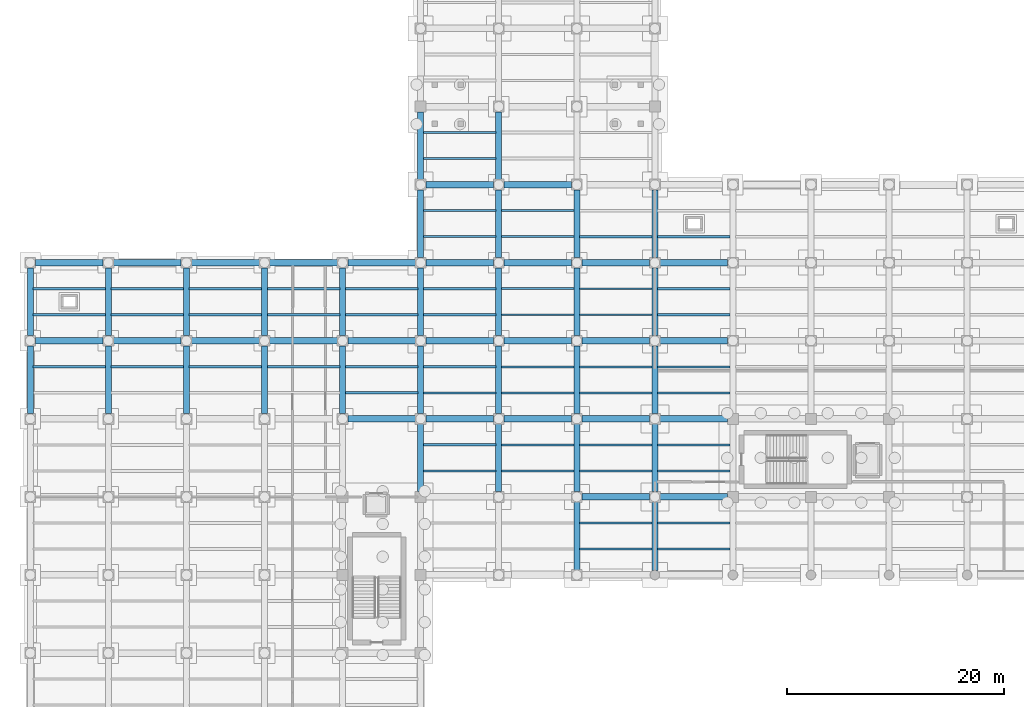
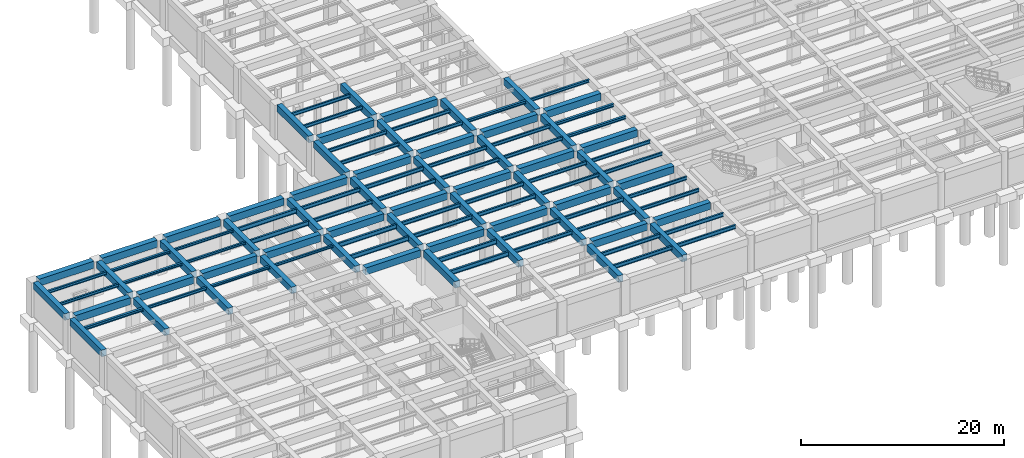
# One storey, part 9 of 34: 109 beams.
"""IFC4 building model written with IfcOpenShell, lengths in metres."""

from ifc_helpers import new_model, si_unit, direction, frame, origin, origin_2d, place, context, subcontext, project, spatial, rectangle, i_section, extrude, material, material_profile, profile_set, type_object, element, save


model = new_model("IFC4")

# Units and contexts
model_context = context("Model", 3, precision=1e-05, world=origin(), true_north=direction((0.0, 1.0)))
body_context = subcontext(model_context, "Body", "Model", "MODEL_VIEW")
ifc_project = project(units=[si_unit("LENGTHUNIT", "METRE"), si_unit("AREAUNIT", "SQUARE_METRE"), si_unit("VOLUMEUNIT", "CUBIC_METRE"), si_unit("PLANEANGLEUNIT", "RADIAN"), si_unit("MASSUNIT", "GRAM", prefix="KILO")], contexts=[model_context])

# Site, building, storey
site_placement = place(None, origin())
site = spatial("IfcSite", under=ifc_project, at=site_placement, CompositionType="ELEMENT")
building_placement = place(site_placement, origin())
building = spatial("IfcBuilding", under=site, at=building_placement, Name="Solenvale Faculty of Natural Sciences", CompositionType="ELEMENT")
storey_placement = place(building_placement, frame((0.0, 0.0, -4.5)))
storey = spatial("IfcBuildingStorey", under=building, at=storey_placement, Name="B01", CompositionType="ELEMENT", Elevation=-4.5)

# Beams
ifc_material_1 = material(Name="Concrete 40 MPa", Category="concrete")
ifc_material_profile_1 = material_profile(ifc_material_1, rectangle(XDim=0.550048828125, YDim=0.800048828125, at=origin_2d()), Name="RC-BM-550x800")
ifc_profile_set_1 = profile_set([ifc_material_profile_1], Name="Concrete 40 MPa")
beam_type_1 = type_object("IfcBeamType", Name="BM-RC-550x800", PredefinedType="BEAM", material=ifc_profile_set_1)
for number, where, z_axis, x_axis, name in (
    (1, (0.0, 29.280029296875, 3.75), (0.0, 1.0, 0.0), (-1.0, 0.0, 0.0), "B01 Y-Girder X0.0 (28.8..36.0)"),
    (2, (0.0, 36.47998046875, 3.75), (0.0, 1.0, 0.0), (-1.0, 0.0, 0.0), "B01 Y-Girder X0.0 (36.0..43.2)"),
    (3, (7.199951171875, 29.280029296875, 3.75), (0.0, 1.0, 0.0), (-1.0, 0.0, 0.0), "B01 Y-Girder X7.2 (28.8..36.0)"),
    (4, (7.199951171875, 36.47998046875, 3.75), (0.0, 1.0, 0.0), (-1.0, 0.0, 0.0), "B01 Y-Girder X7.2 (36.0..43.2)"),
    (5, (14.39990234375, 29.280029296875, 3.75), (0.0, 1.0, 0.0), (-1.0, 0.0, 0.0), "B01 Y-Girder X14.4 (28.8..36.0)"),
    (6, (14.39990234375, 36.47998046875, 3.75), (0.0, 1.0, 0.0), (-1.0, 0.0, 0.0), "B01 Y-Girder X14.4 (36.0..43.2)"),
    (7, (21.60009765625, 29.280029296875, 3.75), (0.0, 1.0, 0.0), (-1.0, 0.0, 0.0), "B01 Y-Girder X21.6 (28.8..36.0)"),
    (8, (21.60009765625, 36.47998046875, 3.75), (0.0, 1.0, 0.0), (-1.0, 0.0, 0.0), "B01 Y-Girder X21.6 (36.0..43.2)"),
    (9, (28.800048828125, 29.280029296875, 3.75), (0.0, 1.0, 0.0), (-1.0, 0.0, 0.0), "B01 Y-Girder X28.8 (28.8..36.0)"),
    (10, (28.800048828125, 36.47998046875, 3.75), (0.0, 1.0, 0.0), (-1.0, 0.0, 0.0), "B01 Y-Girder X28.8 (36.0..43.2)"),
    (11, (36.0, 22.080078125, 3.75), (0.0, 1.0, 0.0), (-1.0, 0.0, 0.0), "B01 Y-Girder X36.0 (21.6..28.8)"),
    (12, (36.0, 29.280029296875, 3.75), (0.0, 1.0, 0.0), (-1.0, 0.0, 0.0), "B01 Y-Girder X36.0 (28.8..36.0)"),
    (13, (36.0, 36.47998046875, 3.75), (0.0, 1.0, 0.0), (-1.0, 0.0, 0.0), "B01 Y-Girder X36.0 (36.0..43.2)"),
    (14, (36.0, 43.679931640625, 3.75), (0.0, 1.0, 0.0), (-1.0, 0.0, 0.0), "B01 Y-Girder X36.0 (43.2..50.4)"),
):
    element("IfcBeam", number, at=place(storey_placement, frame(where, z_axis=z_axis, x_axis=x_axis)), inside=storey, type_object=beam_type_1, Name=name, PredefinedType="BEAM", context=body_context, shape_type="SweptSolid", body=[
        extrude(rectangle(XDim=0.550048828125, YDim=0.800048828125, at=origin_2d()), origin(), (0.0, 0.0, 1.0), 6.239990234375),
    ])
beam_1_placement = place(storey_placement, frame((36.0, 50.8798828125, 3.75), z_axis=(0.0, 1.0, 0.0), x_axis=(-1.0, 0.0, 0.0)))
element("IfcBeam", 15, at=beam_1_placement, inside=storey, type_object=beam_type_1, Name="B01 Y-Girder X36.0 (50.4..57.6)", PredefinedType="BEAM", context=body_context, shape_type="SweptSolid", body=[
    extrude(rectangle(XDim=0.550048828125, YDim=0.800048828125, at=origin_2d()), origin(), (0.0, 0.0, 1.0), 6.240234375),
])
for number, where, z_axis, x_axis, name in (
    (16, (43.199951171875, 22.080078125, 3.75), (0.0, 1.0, 0.0), (-1.0, 0.0, 0.0), "B01 Y-Girder X43.2 (21.6..28.8)"),
    (17, (43.199951171875, 29.280029296875, 3.75), (0.0, 1.0, 0.0), (-1.0, 0.0, 0.0), "B01 Y-Girder X43.2 (28.8..36.0)"),
    (18, (43.199951171875, 36.47998046875, 3.75), (0.0, 1.0, 0.0), (-1.0, 0.0, 0.0), "B01 Y-Girder X43.2 (36.0..43.2)"),
    (19, (43.199951171875, 43.679931640625, 3.75), (0.0, 1.0, 0.0), (-1.0, 0.0, 0.0), "B01 Y-Girder X43.2 (43.2..50.4)"),
):
    element("IfcBeam", number, at=place(storey_placement, frame(where, z_axis=z_axis, x_axis=x_axis)), inside=storey, type_object=beam_type_1, Name=name, PredefinedType="BEAM", context=body_context, shape_type="SweptSolid", body=[
        extrude(rectangle(XDim=0.550048828125, YDim=0.800048828125, at=origin_2d()), origin(), (0.0, 0.0, 1.0), 6.239990234375),
    ])
for number, where, z_axis, x_axis, name in (
    (20, (43.199951171875, 50.8798828125, 3.75), (0.0, 1.0, 0.0), (-1.0, 0.0, 0.0), "B01 Y-Girder X43.2 (50.4..57.6)"),
    (21, (50.39990234375, 14.8798828125, 3.75), (0.0, 1.0, 0.0), (-1.0, 0.0, 0.0), "B01 Y-Girder X50.4 (14.4..21.6)"),
):
    element("IfcBeam", number, at=place(storey_placement, frame(where, z_axis=z_axis, x_axis=x_axis)), inside=storey, type_object=beam_type_1, Name=name, PredefinedType="BEAM", context=body_context, shape_type="SweptSolid", body=[
        extrude(rectangle(XDim=0.550048828125, YDim=0.800048828125, at=origin_2d()), origin(), (0.0, 0.0, 1.0), 6.240234375),
    ])
for number, where, z_axis, x_axis, name in (
    (22, (50.39990234375, 22.080078125, 3.75), (0.0, 1.0, 0.0), (-1.0, 0.0, 0.0), "B01 Y-Girder X50.4 (21.6..28.8)"),
    (23, (50.39990234375, 29.280029296875, 3.75), (0.0, 1.0, 0.0), (-1.0, 0.0, 0.0), "B01 Y-Girder X50.4 (28.8..36.0)"),
    (24, (50.39990234375, 36.47998046875, 3.75), (0.0, 1.0, 0.0), (-1.0, 0.0, 0.0), "B01 Y-Girder X50.4 (36.0..43.2)"),
    (25, (50.39990234375, 43.679931640625, 3.75), (0.0, 1.0, 0.0), (-1.0, 0.0, 0.0), "B01 Y-Girder X50.4 (43.2..50.4)"),
):
    element("IfcBeam", number, at=place(storey_placement, frame(where, z_axis=z_axis, x_axis=x_axis)), inside=storey, type_object=beam_type_1, Name=name, PredefinedType="BEAM", context=body_context, shape_type="SweptSolid", body=[
        extrude(rectangle(XDim=0.550048828125, YDim=0.800048828125, at=origin_2d()), origin(), (0.0, 0.0, 1.0), 6.239990234375),
    ])
beam_2_placement = place(storey_placement, frame((57.60009765625, 14.804931640625, 3.75), z_axis=(0.0, 1.0, 0.0), x_axis=(-1.0, 0.0, 0.0)))
element("IfcBeam", 26, at=beam_2_placement, inside=storey, type_object=beam_type_1, Name="B01 Y-Girder X57.6 (14.4..21.6)", PredefinedType="BEAM", context=body_context, shape_type="SweptSolid", body=[
    extrude(rectangle(XDim=0.550048828125, YDim=0.800048828125, at=origin_2d()), origin(), (0.0, 0.0, 1.0), 6.315185546875),
])
for number, where, z_axis, x_axis, name in (
    (27, (57.60009765625, 22.080078125, 3.75), (0.0, 1.0, 0.0), (-1.0, 0.0, 0.0), "B01 Y-Girder X57.6 (21.6..28.8)"),
    (28, (57.60009765625, 29.280029296875, 3.75), (0.0, 1.0, 0.0), (-1.0, 0.0, 0.0), "B01 Y-Girder X57.6 (28.8..36.0)"),
    (29, (57.60009765625, 36.47998046875, 3.75), (0.0, 1.0, 0.0), (-1.0, 0.0, 0.0), "B01 Y-Girder X57.6 (36.0..43.2)"),
    (30, (57.60009765625, 43.679931640625, 3.75), (0.0, 1.0, 0.0), (-1.0, 0.0, 0.0), "B01 Y-Girder X57.6 (43.2..50.4)"),
):
    element("IfcBeam", number, at=place(storey_placement, frame(where, z_axis=z_axis, x_axis=x_axis)), inside=storey, type_object=beam_type_1, Name=name, PredefinedType="BEAM", context=body_context, shape_type="SweptSolid", body=[
        extrude(rectangle(XDim=0.550048828125, YDim=0.800048828125, at=origin_2d()), origin(), (0.0, 0.0, 1.0), 6.239990234375),
    ])
ifc_material_profile_2 = material_profile(ifc_material_1, rectangle(XDim=0.60009765625, YDim=0.85009765625, at=origin_2d()), Name="RC-BM-600x850")
ifc_profile_set_2 = profile_set([ifc_material_profile_2], Name="Concrete 40 MPa")
beam_type_2 = type_object("IfcBeamType", Name="BM-RC-600x850", PredefinedType="BEAM", material=ifc_profile_set_2)
beam_3_placement = place(storey_placement, frame((50.8798828125, 21.60009765625, 3.72509765625), z_axis=(1.0, 0.0, 0.0), x_axis=(0.0, 1.0, 0.0)))
element("IfcBeam", 31, at=beam_3_placement, inside=storey, type_object=beam_type_2, Name="B01 X-Girder Y21.6 (50.4..57.6)", PredefinedType="BEAM", context=body_context, shape_type="SweptSolid", body=[
    extrude(rectangle(XDim=0.60009765625, YDim=0.85009765625, at=origin_2d()), origin(), (0.0, 0.0, 1.0), 6.240234375),
])
for number, where, z_axis, x_axis, name in (
    (32, (58.080078125, 21.60009765625, 3.72509765625), (1.0, 0.0, 0.0), (0.0, 1.0, 0.0), "B01 X-Girder Y21.6 (57.6..64.8)"),
    (33, (29.280029296875, 28.800048828125, 3.72509765625), (1.0, 0.0, 0.0), (0.0, 1.0, 0.0), "B01 X-Girder Y28.8 (28.8..36.0)"),
    (34, (36.47998046875, 28.800048828125, 3.72509765625), (1.0, 0.0, 0.0), (0.0, 1.0, 0.0), "B01 X-Girder Y28.8 (36.0..43.2)"),
    (35, (43.679931640625, 28.800048828125, 3.72509765625), (1.0, 0.0, 0.0), (0.0, 1.0, 0.0), "B01 X-Girder Y28.8 (43.2..50.4)"),
):
    element("IfcBeam", number, at=place(storey_placement, frame(where, z_axis=z_axis, x_axis=x_axis)), inside=storey, type_object=beam_type_2, Name=name, PredefinedType="BEAM", context=body_context, shape_type="SweptSolid", body=[
        extrude(rectangle(XDim=0.60009765625, YDim=0.85009765625, at=origin_2d()), origin(), (0.0, 0.0, 1.0), 6.239990234375),
    ])
beam_4_placement = place(storey_placement, frame((50.8798828125, 28.800048828125, 3.72509765625), z_axis=(1.0, 0.0, 0.0), x_axis=(0.0, 1.0, 0.0)))
element("IfcBeam", 36, at=beam_4_placement, inside=storey, type_object=beam_type_2, Name="B01 X-Girder Y28.8 (50.4..57.6)", PredefinedType="BEAM", context=body_context, shape_type="SweptSolid", body=[
    extrude(rectangle(XDim=0.60009765625, YDim=0.85009765625, at=origin_2d()), origin(), (0.0, 0.0, 1.0), 6.240234375),
])
for number, where, z_axis, x_axis, name in (
    (37, (58.080078125, 28.800048828125, 3.72509765625), (1.0, 0.0, 0.0), (0.0, 1.0, 0.0), "B01 X-Girder Y28.8 (57.6..64.8)"),
    (38, (0.47998046875, 36.0, 3.72509765625), (1.0, 0.0, 0.0), (0.0, 1.0, 0.0), "B01 X-Girder Y36.0 (0.0..7.2)"),
    (39, (7.679931640625, 36.0, 3.72509765625), (1.0, 0.0, 0.0), (0.0, 1.0, 0.0), "B01 X-Girder Y36.0 (7.2..14.4)"),
):
    element("IfcBeam", number, at=place(storey_placement, frame(where, z_axis=z_axis, x_axis=x_axis)), inside=storey, type_object=beam_type_2, Name=name, PredefinedType="BEAM", context=body_context, shape_type="SweptSolid", body=[
        extrude(rectangle(XDim=0.60009765625, YDim=0.85009765625, at=origin_2d()), origin(), (0.0, 0.0, 1.0), 6.239990234375),
    ])
beam_5_placement = place(storey_placement, frame((14.8798828125, 36.0, 3.72509765625), z_axis=(1.0, 0.0, 0.0), x_axis=(0.0, 1.0, 0.0)))
element("IfcBeam", 40, at=beam_5_placement, inside=storey, type_object=beam_type_2, Name="B01 X-Girder Y36.0 (14.4..21.6)", PredefinedType="BEAM", context=body_context, shape_type="SweptSolid", body=[
    extrude(rectangle(XDim=0.60009765625, YDim=0.85009765625, at=origin_2d()), origin(), (0.0, 0.0, 1.0), 6.240234375),
])
for number, where, z_axis, x_axis, name in (
    (41, (22.080078125, 36.0, 3.72509765625), (1.0, 0.0, 0.0), (0.0, 1.0, 0.0), "B01 X-Girder Y36.0 (21.6..28.8)"),
    (42, (29.280029296875, 36.0, 3.72509765625), (1.0, 0.0, 0.0), (0.0, 1.0, 0.0), "B01 X-Girder Y36.0 (28.8..36.0)"),
    (43, (36.47998046875, 36.0, 3.72509765625), (1.0, 0.0, 0.0), (0.0, 1.0, 0.0), "B01 X-Girder Y36.0 (36.0..43.2)"),
    (44, (43.679931640625, 36.0, 3.72509765625), (1.0, 0.0, 0.0), (0.0, 1.0, 0.0), "B01 X-Girder Y36.0 (43.2..50.4)"),
):
    element("IfcBeam", number, at=place(storey_placement, frame(where, z_axis=z_axis, x_axis=x_axis)), inside=storey, type_object=beam_type_2, Name=name, PredefinedType="BEAM", context=body_context, shape_type="SweptSolid", body=[
        extrude(rectangle(XDim=0.60009765625, YDim=0.85009765625, at=origin_2d()), origin(), (0.0, 0.0, 1.0), 6.239990234375),
    ])
beam_6_placement = place(storey_placement, frame((50.8798828125, 36.0, 3.72509765625), z_axis=(1.0, 0.0, 0.0), x_axis=(0.0, 1.0, 0.0)))
element("IfcBeam", 45, at=beam_6_placement, inside=storey, type_object=beam_type_2, Name="B01 X-Girder Y36.0 (50.4..57.6)", PredefinedType="BEAM", context=body_context, shape_type="SweptSolid", body=[
    extrude(rectangle(XDim=0.60009765625, YDim=0.85009765625, at=origin_2d()), origin(), (0.0, 0.0, 1.0), 6.240234375),
])
for number, where, z_axis, x_axis, name in (
    (46, (58.080078125, 36.0, 3.72509765625), (1.0, 0.0, 0.0), (0.0, 1.0, 0.0), "B01 X-Girder Y36.0 (57.6..64.8)"),
    (47, (0.47998046875, 43.199951171875, 3.72509765625), (1.0, 0.0, 0.0), (0.0, 1.0, 0.0), "B01 X-Girder Y43.2 (0.0..7.2)"),
    (48, (7.679931640625, 43.199951171875, 3.72509765625), (1.0, 0.0, 0.0), (0.0, 1.0, 0.0), "B01 X-Girder Y43.2 (7.2..14.4)"),
):
    element("IfcBeam", number, at=place(storey_placement, frame(where, z_axis=z_axis, x_axis=x_axis)), inside=storey, type_object=beam_type_2, Name=name, PredefinedType="BEAM", context=body_context, shape_type="SweptSolid", body=[
        extrude(rectangle(XDim=0.60009765625, YDim=0.85009765625, at=origin_2d()), origin(), (0.0, 0.0, 1.0), 6.239990234375),
    ])
beam_7_placement = place(storey_placement, frame((14.8798828125, 43.199951171875, 3.72509765625), z_axis=(1.0, 0.0, 0.0), x_axis=(0.0, 1.0, 0.0)))
element("IfcBeam", 49, at=beam_7_placement, inside=storey, type_object=beam_type_2, Name="B01 X-Girder Y43.2 (14.4..21.6)", PredefinedType="BEAM", context=body_context, shape_type="SweptSolid", body=[
    extrude(rectangle(XDim=0.60009765625, YDim=0.85009765625, at=origin_2d()), origin(), (0.0, 0.0, 1.0), 6.240234375),
])
for number, where, z_axis, x_axis, name in (
    (50, (22.080078125, 43.199951171875, 3.72509765625), (1.0, 0.0, 0.0), (0.0, 1.0, 0.0), "B01 X-Girder Y43.2 (21.6..28.8)"),
    (51, (29.280029296875, 43.199951171875, 3.72509765625), (1.0, 0.0, 0.0), (0.0, 1.0, 0.0), "B01 X-Girder Y43.2 (28.8..36.0)"),
    (52, (36.47998046875, 43.199951171875, 3.72509765625), (1.0, 0.0, 0.0), (0.0, 1.0, 0.0), "B01 X-Girder Y43.2 (36.0..43.2)"),
    (53, (43.679931640625, 43.199951171875, 3.72509765625), (1.0, 0.0, 0.0), (0.0, 1.0, 0.0), "B01 X-Girder Y43.2 (43.2..50.4)"),
):
    element("IfcBeam", number, at=place(storey_placement, frame(where, z_axis=z_axis, x_axis=x_axis)), inside=storey, type_object=beam_type_2, Name=name, PredefinedType="BEAM", context=body_context, shape_type="SweptSolid", body=[
        extrude(rectangle(XDim=0.60009765625, YDim=0.85009765625, at=origin_2d()), origin(), (0.0, 0.0, 1.0), 6.239990234375),
    ])
beam_8_placement = place(storey_placement, frame((50.8798828125, 43.199951171875, 3.72509765625), z_axis=(1.0, 0.0, 0.0), x_axis=(0.0, 1.0, 0.0)))
element("IfcBeam", 54, at=beam_8_placement, inside=storey, type_object=beam_type_2, Name="B01 X-Girder Y43.2 (50.4..57.6)", PredefinedType="BEAM", context=body_context, shape_type="SweptSolid", body=[
    extrude(rectangle(XDim=0.60009765625, YDim=0.85009765625, at=origin_2d()), origin(), (0.0, 0.0, 1.0), 6.240234375),
])
for number, where, z_axis, x_axis, name in (
    (55, (58.080078125, 43.199951171875, 3.72509765625), (1.0, 0.0, 0.0), (0.0, 1.0, 0.0), "B01 X-Girder Y43.2 (57.6..64.8)"),
    (56, (36.47998046875, 50.39990234375, 3.72509765625), (1.0, 0.0, 0.0), (0.0, 1.0, 0.0), "B01 X-Girder Y50.4 (36.0..43.2)"),
    (57, (43.679931640625, 50.39990234375, 3.72509765625), (1.0, 0.0, 0.0), (0.0, 1.0, 0.0), "B01 X-Girder Y50.4 (43.2..50.4)"),
):
    element("IfcBeam", number, at=place(storey_placement, frame(where, z_axis=z_axis, x_axis=x_axis)), inside=storey, type_object=beam_type_2, Name=name, PredefinedType="BEAM", context=body_context, shape_type="SweptSolid", body=[
        extrude(rectangle(XDim=0.60009765625, YDim=0.85009765625, at=origin_2d()), origin(), (0.0, 0.0, 1.0), 6.239990234375),
    ])
ifc_material_2 = material(Name="Steel S355", Category="steel")
ifc_material_profile_3 = material_profile(ifc_material_2, i_section(OverallWidth=0.202880859375, OverallDepth=0.302978515625, WebThickness=0.007568359375, FlangeThickness=0.01318359375, FilletRadius=0.014892578125, at=origin_2d()), Name="W310x60")
ifc_profile_set_3 = profile_set([ifc_material_profile_3], Name="Steel S355")
beam_type_3 = type_object("IfcBeamType", Name="BM-STL-W310x60", PredefinedType="JOIST", material=ifc_profile_set_3)
for number, where, z_axis, x_axis, name in (
    (58, (14.655029296875, 38.39990234375, 3.99853515625), (1.0, 0.0, 0.0), (0.0, 1.0, 0.0), "B01 Composite Floor Joist (3,6).1"),
    (59, (14.655029296875, 40.800048828125, 3.99853515625), (1.0, 0.0, 0.0), (0.0, 1.0, 0.0), "B01 Composite Floor Joist (3,6).2"),
    (60, (21.85498046875, 33.60009765625, 3.99853515625), (1.0, 0.0, 0.0), (0.0, 1.0, 0.0), "B01 Composite Floor Joist (4,5).2"),
):
    element("IfcBeam", number, at=place(storey_placement, frame(where, z_axis=z_axis, x_axis=x_axis)), inside=storey, type_object=beam_type_3, Name=name, PredefinedType="JOIST", context=body_context, shape_type="SweptSolid", body=[
        extrude(i_section(OverallWidth=0.202880859375, OverallDepth=0.302978515625, WebThickness=0.007568359375, FlangeThickness=0.01318359375, FilletRadius=0.014892578125, at=origin_2d()), origin(), (0.0, 0.0, 1.0), 6.68994140625),
    ])
ifc_material_profile_4 = material_profile(ifc_material_2, i_section(OverallWidth=0.25390625, OverallDepth=0.305908203125, WebThickness=0.0087890625, FlangeThickness=0.0146484375, FilletRadius=0.014892578125, at=origin_2d()), Name="W310x79")
ifc_profile_set_4 = profile_set([ifc_material_profile_4], Name="Steel S355")
beam_type_4 = type_object("IfcBeamType", Name="BM-STL-W310x79", PredefinedType="JOIST", material=ifc_profile_set_4)
for number, where, z_axis, x_axis, name in (
    (61, (7.455078125, 38.39990234375, 3.9970703125), (1.0, 0.0, 0.0), (0.0, 1.0, 0.0), "B01 Composite Floor Joist (2,6).1"),
    (62, (7.455078125, 40.800048828125, 3.9970703125), (1.0, 0.0, 0.0), (0.0, 1.0, 0.0), "B01 Composite Floor Joist (2,6).2"),
    (63, (14.655029296875, 33.60009765625, 3.9970703125), (1.0, 0.0, 0.0), (0.0, 1.0, 0.0), "B01 Composite Floor Joist (3,5).2"),
):
    element("IfcBeam", number, at=place(storey_placement, frame(where, z_axis=z_axis, x_axis=x_axis)), inside=storey, type_object=beam_type_4, Name=name, PredefinedType="JOIST", context=body_context, shape_type="SweptSolid", body=[
        extrude(i_section(OverallWidth=0.25390625, OverallDepth=0.305908203125, WebThickness=0.0087890625, FlangeThickness=0.0146484375, FilletRadius=0.014892578125, at=origin_2d()), origin(), (0.0, 0.0, 1.0), 6.68994140625),
    ])
ifc_material_profile_5 = material_profile(ifc_material_2, i_section(OverallWidth=0.2548828125, OverallDepth=0.35693359375, WebThickness=0.010498046875, FlangeThickness=0.018310546875, FilletRadius=0.014892578125, at=origin_2d()), Name="W360x101")
ifc_profile_set_5 = profile_set([ifc_material_profile_5], Name="Steel S355")
beam_type_5 = type_object("IfcBeamType", Name="BM-STL-W360x101", PredefinedType="JOIST", material=ifc_profile_set_5)
beam_9_placement = place(storey_placement, frame((0.2548828125, 33.60009765625, 3.971435546875), z_axis=(1.0, 0.0, 0.0), x_axis=(0.0, 1.0, 0.0)))
element("IfcBeam", 64, at=beam_9_placement, inside=storey, type_object=beam_type_5, Name="B01 Composite Floor Joist (1,5).2", PredefinedType="JOIST", context=body_context, shape_type="SweptSolid", body=[
    extrude(i_section(OverallWidth=0.2548828125, OverallDepth=0.35693359375, WebThickness=0.010498046875, FlangeThickness=0.018310546875, FilletRadius=0.014892578125, at=origin_2d()), origin(), (0.0, 0.0, 1.0), 6.690185546875),
])
for number, where, z_axis, x_axis, name in (
    (65, (50.655029296875, 45.60009765625, 3.971435546875), (1.0, 0.0, 0.0), (0.0, 1.0, 0.0), "B01 Composite Floor Joist (8,7).1"),
    (66, (57.85498046875, 38.39990234375, 3.971435546875), (1.0, 0.0, 0.0), (0.0, 1.0, 0.0), "B01 Composite Floor Joist (9,6).1"),
    (67, (57.85498046875, 40.800048828125, 3.971435546875), (1.0, 0.0, 0.0), (0.0, 1.0, 0.0), "B01 Composite Floor Joist (9,6).2"),
):
    element("IfcBeam", number, at=place(storey_placement, frame(where, z_axis=z_axis, x_axis=x_axis)), inside=storey, type_object=beam_type_5, Name=name, PredefinedType="JOIST", context=body_context, shape_type="SweptSolid", body=[
        extrude(i_section(OverallWidth=0.2548828125, OverallDepth=0.35693359375, WebThickness=0.010498046875, FlangeThickness=0.018310546875, FilletRadius=0.014892578125, at=origin_2d()), origin(), (0.0, 0.0, 1.0), 6.68994140625),
    ])
ifc_material_profile_6 = material_profile(ifc_material_2, i_section(OverallWidth=0.2041015625, OverallDepth=0.35009765625, WebThickness=0.008544921875, FlangeThickness=0.01513671875, FilletRadius=0.014892578125, at=origin_2d()), Name="W360x72")
ifc_profile_set_6 = profile_set([ifc_material_profile_6], Name="Steel S355")
beam_type_6 = type_object("IfcBeamType", Name="BM-STL-W360x72", PredefinedType="JOIST", material=ifc_profile_set_6)
for number, where, z_axis, x_axis, name in (
    (68, (0.2548828125, 38.39990234375, 3.97509765625), (1.0, 0.0, 0.0), (0.0, 1.0, 0.0), "B01 Composite Floor Joist (1,6).1"),
    (69, (0.2548828125, 40.800048828125, 3.97509765625), (1.0, 0.0, 0.0), (0.0, 1.0, 0.0), "B01 Composite Floor Joist (1,6).2"),
):
    element("IfcBeam", number, at=place(storey_placement, frame(where, z_axis=z_axis, x_axis=x_axis)), inside=storey, type_object=beam_type_6, Name=name, PredefinedType="JOIST", context=body_context, shape_type="SweptSolid", body=[
        extrude(i_section(OverallWidth=0.2041015625, OverallDepth=0.35009765625, WebThickness=0.008544921875, FlangeThickness=0.01513671875, FilletRadius=0.014892578125, at=origin_2d()), origin(), (0.0, 0.0, 1.0), 6.690185546875),
    ])
for number, where, z_axis, x_axis, name in (
    (70, (7.455078125, 33.60009765625, 3.97509765625), (1.0, 0.0, 0.0), (0.0, 1.0, 0.0), "B01 Composite Floor Joist (2,5).2"),
    (71, (57.85498046875, 45.60009765625, 3.97509765625), (1.0, 0.0, 0.0), (0.0, 1.0, 0.0), "B01 Composite Floor Joist (9,7).1"),
):
    element("IfcBeam", number, at=place(storey_placement, frame(where, z_axis=z_axis, x_axis=x_axis)), inside=storey, type_object=beam_type_6, Name=name, PredefinedType="JOIST", context=body_context, shape_type="SweptSolid", body=[
        extrude(i_section(OverallWidth=0.2041015625, OverallDepth=0.35009765625, WebThickness=0.008544921875, FlangeThickness=0.01513671875, FilletRadius=0.014892578125, at=origin_2d()), origin(), (0.0, 0.0, 1.0), 6.68994140625),
    ])
ifc_material_profile_7 = material_profile(ifc_material_2, i_section(OverallWidth=0.178955078125, OverallDepth=0.409912109375, WebThickness=0.0087890625, FlangeThickness=0.014404296875, FilletRadius=0.01611328125, at=origin_2d()), Name="W410x67")
ifc_profile_set_7 = profile_set([ifc_material_profile_7], Name="Steel S355")
beam_type_7 = type_object("IfcBeamType", Name="BM-STL-W410x67", PredefinedType="JOIST", material=ifc_profile_set_7)
for number, where, z_axis, x_axis, name in (
    (72, (36.2548828125, 52.800048828125, 3.945068359375), (1.0, 0.0, 0.0), (0.0, 1.0, 0.0), "B01 Composite Floor Joist (6,8).1"),
    (73, (36.2548828125, 55.199951171875, 3.945068359375), (1.0, 0.0, 0.0), (0.0, 1.0, 0.0), "B01 Composite Floor Joist (6,8).2"),
):
    element("IfcBeam", number, at=place(storey_placement, frame(where, z_axis=z_axis, x_axis=x_axis)), inside=storey, type_object=beam_type_7, Name=name, PredefinedType="JOIST", context=body_context, shape_type="SweptSolid", body=[
        extrude(i_section(OverallWidth=0.178955078125, OverallDepth=0.409912109375, WebThickness=0.0087890625, FlangeThickness=0.014404296875, FilletRadius=0.01611328125, at=origin_2d()), origin(), (0.0, 0.0, 1.0), 6.690185546875),
    ])
for number, where, z_axis, x_axis, name in (
    (74, (43.455078125, 45.60009765625, 3.945068359375), (1.0, 0.0, 0.0), (0.0, 1.0, 0.0), "B01 Composite Floor Joist (7,7).1"),
    (75, (43.455078125, 48.0, 3.945068359375), (1.0, 0.0, 0.0), (0.0, 1.0, 0.0), "B01 Composite Floor Joist (7,7).2"),
    (76, (50.655029296875, 38.39990234375, 3.945068359375), (1.0, 0.0, 0.0), (0.0, 1.0, 0.0), "B01 Composite Floor Joist (8,6).1"),
    (77, (50.655029296875, 40.800048828125, 3.945068359375), (1.0, 0.0, 0.0), (0.0, 1.0, 0.0), "B01 Composite Floor Joist (8,6).2"),
    (78, (57.85498046875, 31.199951171875, 3.945068359375), (1.0, 0.0, 0.0), (0.0, 1.0, 0.0), "B01 Composite Floor Joist (9,5).1"),
    (79, (57.85498046875, 33.60009765625, 3.945068359375), (1.0, 0.0, 0.0), (0.0, 1.0, 0.0), "B01 Composite Floor Joist (9,5).2"),
):
    element("IfcBeam", number, at=place(storey_placement, frame(where, z_axis=z_axis, x_axis=x_axis)), inside=storey, type_object=beam_type_7, Name=name, PredefinedType="JOIST", context=body_context, shape_type="SweptSolid", body=[
        extrude(i_section(OverallWidth=0.178955078125, OverallDepth=0.409912109375, WebThickness=0.0087890625, FlangeThickness=0.014404296875, FilletRadius=0.01611328125, at=origin_2d()), origin(), (0.0, 0.0, 1.0), 6.68994140625),
    ])
ifc_material_profile_8 = material_profile(ifc_material_2, i_section(OverallWidth=0.180908203125, OverallDepth=0.4169921875, WebThickness=0.010986328125, FlangeThickness=0.018310546875, FilletRadius=0.01611328125, at=origin_2d()), Name="W410x85")
ifc_profile_set_8 = profile_set([ifc_material_profile_8], Name="Steel S355")
beam_type_8 = type_object("IfcBeamType", Name="BM-STL-W410x85", PredefinedType="JOIST", material=ifc_profile_set_8)
for number, where, z_axis, x_axis, name in (
    (80, (36.2548828125, 45.60009765625, 3.94140625), (1.0, 0.0, 0.0), (0.0, 1.0, 0.0), "B01 Composite Floor Joist (6,7).1"),
    (81, (36.2548828125, 48.0, 3.94140625), (1.0, 0.0, 0.0), (0.0, 1.0, 0.0), "B01 Composite Floor Joist (6,7).2"),
):
    element("IfcBeam", number, at=place(storey_placement, frame(where, z_axis=z_axis, x_axis=x_axis)), inside=storey, type_object=beam_type_8, Name=name, PredefinedType="JOIST", context=body_context, shape_type="SweptSolid", body=[
        extrude(i_section(OverallWidth=0.180908203125, OverallDepth=0.4169921875, WebThickness=0.010986328125, FlangeThickness=0.018310546875, FilletRadius=0.01611328125, at=origin_2d()), origin(), (0.0, 0.0, 1.0), 6.690185546875),
    ])
for number, where, z_axis, x_axis, name in (
    (82, (43.455078125, 38.39990234375, 3.94140625), (1.0, 0.0, 0.0), (0.0, 1.0, 0.0), "B01 Composite Floor Joist (7,6).1"),
    (83, (43.455078125, 40.800048828125, 3.94140625), (1.0, 0.0, 0.0), (0.0, 1.0, 0.0), "B01 Composite Floor Joist (7,6).2"),
    (84, (50.655029296875, 31.199951171875, 3.94140625), (1.0, 0.0, 0.0), (0.0, 1.0, 0.0), "B01 Composite Floor Joist (8,5).1"),
    (85, (50.655029296875, 33.60009765625, 3.94140625), (1.0, 0.0, 0.0), (0.0, 1.0, 0.0), "B01 Composite Floor Joist (8,5).2"),
    (86, (57.85498046875, 24.0, 3.94140625), (1.0, 0.0, 0.0), (0.0, 1.0, 0.0), "B01 Composite Floor Joist (9,4).1"),
    (87, (57.85498046875, 26.39990234375, 3.94140625), (1.0, 0.0, 0.0), (0.0, 1.0, 0.0), "B01 Composite Floor Joist (9,4).2"),
):
    element("IfcBeam", number, at=place(storey_placement, frame(where, z_axis=z_axis, x_axis=x_axis)), inside=storey, type_object=beam_type_8, Name=name, PredefinedType="JOIST", context=body_context, shape_type="SweptSolid", body=[
        extrude(i_section(OverallWidth=0.180908203125, OverallDepth=0.4169921875, WebThickness=0.010986328125, FlangeThickness=0.018310546875, FilletRadius=0.01611328125, at=origin_2d()), origin(), (0.0, 0.0, 1.0), 6.68994140625),
    ])
ifc_material_profile_9 = material_profile(ifc_material_2, i_section(OverallWidth=0.194091796875, OverallDepth=0.468994140625, WebThickness=0.0126953125, FlangeThickness=0.0205078125, FilletRadius=0.01806640625, at=origin_2d()), Name="W460x106")
ifc_profile_set_9 = profile_set([ifc_material_profile_9], Name="Steel S355")
beam_type_9 = type_object("IfcBeamType", Name="BM-STL-W460x106", PredefinedType="JOIST", material=ifc_profile_set_9)
for number, where, z_axis, x_axis, name in (
    (88, (29.054931640625, 38.39990234375, 3.91552734375), (1.0, 0.0, 0.0), (0.0, 1.0, 0.0), "B01 Composite Floor Joist (5,6).1"),
    (89, (29.054931640625, 40.800048828125, 3.91552734375), (1.0, 0.0, 0.0), (0.0, 1.0, 0.0), "B01 Composite Floor Joist (5,6).2"),
    (90, (36.2548828125, 31.199951171875, 3.91552734375), (1.0, 0.0, 0.0), (0.0, 1.0, 0.0), "B01 Composite Floor Joist (6,5).1"),
    (91, (36.2548828125, 33.60009765625, 3.91552734375), (1.0, 0.0, 0.0), (0.0, 1.0, 0.0), "B01 Composite Floor Joist (6,5).2"),
):
    element("IfcBeam", number, at=place(storey_placement, frame(where, z_axis=z_axis, x_axis=x_axis)), inside=storey, type_object=beam_type_9, Name=name, PredefinedType="JOIST", context=body_context, shape_type="SweptSolid", body=[
        extrude(i_section(OverallWidth=0.194091796875, OverallDepth=0.468994140625, WebThickness=0.0126953125, FlangeThickness=0.0205078125, FilletRadius=0.01806640625, at=origin_2d()), origin(), (0.0, 0.0, 1.0), 6.690185546875),
    ])
for number, where, z_axis, x_axis, name in (
    (92, (43.455078125, 24.0, 3.91552734375), (1.0, 0.0, 0.0), (0.0, 1.0, 0.0), "B01 Composite Floor Joist (7,4).1"),
    (93, (43.455078125, 26.39990234375, 3.91552734375), (1.0, 0.0, 0.0), (0.0, 1.0, 0.0), "B01 Composite Floor Joist (7,4).2"),
    (94, (50.655029296875, 16.800048828125, 3.91552734375), (1.0, 0.0, 0.0), (0.0, 1.0, 0.0), "B01 Composite Floor Joist (8,3).1"),
    (95, (50.655029296875, 19.199951171875, 3.91552734375), (1.0, 0.0, 0.0), (0.0, 1.0, 0.0), "B01 Composite Floor Joist (8,3).2"),
):
    element("IfcBeam", number, at=place(storey_placement, frame(where, z_axis=z_axis, x_axis=x_axis)), inside=storey, type_object=beam_type_9, Name=name, PredefinedType="JOIST", context=body_context, shape_type="SweptSolid", body=[
        extrude(i_section(OverallWidth=0.194091796875, OverallDepth=0.468994140625, WebThickness=0.0126953125, FlangeThickness=0.0205078125, FilletRadius=0.01806640625, at=origin_2d()), origin(), (0.0, 0.0, 1.0), 6.68994140625),
    ])
ifc_material_profile_10 = material_profile(ifc_material_2, i_section(OverallWidth=0.19091796875, OverallDepth=0.4599609375, WebThickness=0.010009765625, FlangeThickness=0.01611328125, FilletRadius=0.01806640625, at=origin_2d()), Name="W460x82")
ifc_profile_set_10 = profile_set([ifc_material_profile_10], Name="Steel S355")
beam_type_10 = type_object("IfcBeamType", Name="BM-STL-W460x82", PredefinedType="JOIST", material=ifc_profile_set_10)
for number, where, z_axis, x_axis, name in (
    (96, (36.2548828125, 38.39990234375, 3.919921875), (1.0, 0.0, 0.0), (0.0, 1.0, 0.0), "B01 Composite Floor Joist (6,6).1"),
    (97, (36.2548828125, 40.800048828125, 3.919921875), (1.0, 0.0, 0.0), (0.0, 1.0, 0.0), "B01 Composite Floor Joist (6,6).2"),
):
    element("IfcBeam", number, at=place(storey_placement, frame(where, z_axis=z_axis, x_axis=x_axis)), inside=storey, type_object=beam_type_10, Name=name, PredefinedType="JOIST", context=body_context, shape_type="SweptSolid", body=[
        extrude(i_section(OverallWidth=0.19091796875, OverallDepth=0.4599609375, WebThickness=0.010009765625, FlangeThickness=0.01611328125, FilletRadius=0.01806640625, at=origin_2d()), origin(), (0.0, 0.0, 1.0), 6.690185546875),
    ])
for number, where, z_axis, x_axis, name in (
    (98, (43.455078125, 31.199951171875, 3.919921875), (1.0, 0.0, 0.0), (0.0, 1.0, 0.0), "B01 Composite Floor Joist (7,5).1"),
    (99, (43.455078125, 33.60009765625, 3.919921875), (1.0, 0.0, 0.0), (0.0, 1.0, 0.0), "B01 Composite Floor Joist (7,5).2"),
    (100, (50.655029296875, 24.0, 3.919921875), (1.0, 0.0, 0.0), (0.0, 1.0, 0.0), "B01 Composite Floor Joist (8,4).1"),
    (101, (50.655029296875, 26.39990234375, 3.919921875), (1.0, 0.0, 0.0), (0.0, 1.0, 0.0), "B01 Composite Floor Joist (8,4).2"),
    (102, (57.85498046875, 16.800048828125, 3.919921875), (1.0, 0.0, 0.0), (0.0, 1.0, 0.0), "B01 Composite Floor Joist (9,3).1"),
    (103, (57.85498046875, 19.199951171875, 3.919921875), (1.0, 0.0, 0.0), (0.0, 1.0, 0.0), "B01 Composite Floor Joist (9,3).2"),
):
    element("IfcBeam", number, at=place(storey_placement, frame(where, z_axis=z_axis, x_axis=x_axis)), inside=storey, type_object=beam_type_10, Name=name, PredefinedType="JOIST", context=body_context, shape_type="SweptSolid", body=[
        extrude(i_section(OverallWidth=0.19091796875, OverallDepth=0.4599609375, WebThickness=0.010009765625, FlangeThickness=0.01611328125, FilletRadius=0.01806640625, at=origin_2d()), origin(), (0.0, 0.0, 1.0), 6.68994140625),
    ])
ifc_material_profile_11 = material_profile(ifc_material_2, i_section(OverallWidth=0.208984375, OverallDepth=0.532958984375, WebThickness=0.01025390625, FlangeThickness=0.015625, FilletRadius=0.01904296875, at=origin_2d()), Name="W530x92")
ifc_profile_set_11 = profile_set([ifc_material_profile_11], Name="Steel S355")
beam_type_11 = type_object("IfcBeamType", Name="BM-STL-W530x92", PredefinedType="JOIST", material=ifc_profile_set_11)
for number, where, z_axis, x_axis, name in (
    (104, (21.85498046875, 38.39990234375, 3.883544921875), (1.0, 0.0, 0.0), (0.0, 1.0, 0.0), "B01 Composite Floor Joist (4,6).1"),
    (105, (21.85498046875, 40.800048828125, 3.883544921875), (1.0, 0.0, 0.0), (0.0, 1.0, 0.0), "B01 Composite Floor Joist (4,6).2"),
):
    element("IfcBeam", number, at=place(storey_placement, frame(where, z_axis=z_axis, x_axis=x_axis)), inside=storey, type_object=beam_type_11, Name=name, PredefinedType="JOIST", context=body_context, shape_type="SweptSolid", body=[
        extrude(i_section(OverallWidth=0.208984375, OverallDepth=0.532958984375, WebThickness=0.01025390625, FlangeThickness=0.015625, FilletRadius=0.01904296875, at=origin_2d()), origin(), (0.0, 0.0, 1.0), 6.68994140625),
    ])
for number, where, z_axis, x_axis, name in (
    (106, (29.054931640625, 31.199951171875, 3.883544921875), (1.0, 0.0, 0.0), (0.0, 1.0, 0.0), "B01 Composite Floor Joist (5,5).1"),
    (107, (29.054931640625, 33.60009765625, 3.883544921875), (1.0, 0.0, 0.0), (0.0, 1.0, 0.0), "B01 Composite Floor Joist (5,5).2"),
    (108, (36.2548828125, 24.0, 3.883544921875), (1.0, 0.0, 0.0), (0.0, 1.0, 0.0), "B01 Composite Floor Joist (6,4).1"),
    (109, (36.2548828125, 26.39990234375, 3.883544921875), (1.0, 0.0, 0.0), (0.0, 1.0, 0.0), "B01 Composite Floor Joist (6,4).2"),
):
    element("IfcBeam", number, at=place(storey_placement, frame(where, z_axis=z_axis, x_axis=x_axis)), inside=storey, type_object=beam_type_11, Name=name, PredefinedType="JOIST", context=body_context, shape_type="SweptSolid", body=[
        extrude(i_section(OverallWidth=0.208984375, OverallDepth=0.532958984375, WebThickness=0.01025390625, FlangeThickness=0.015625, FilletRadius=0.01904296875, at=origin_2d()), origin(), (0.0, 0.0, 1.0), 6.690185546875),
    ])

save(model, "model.ifc")
